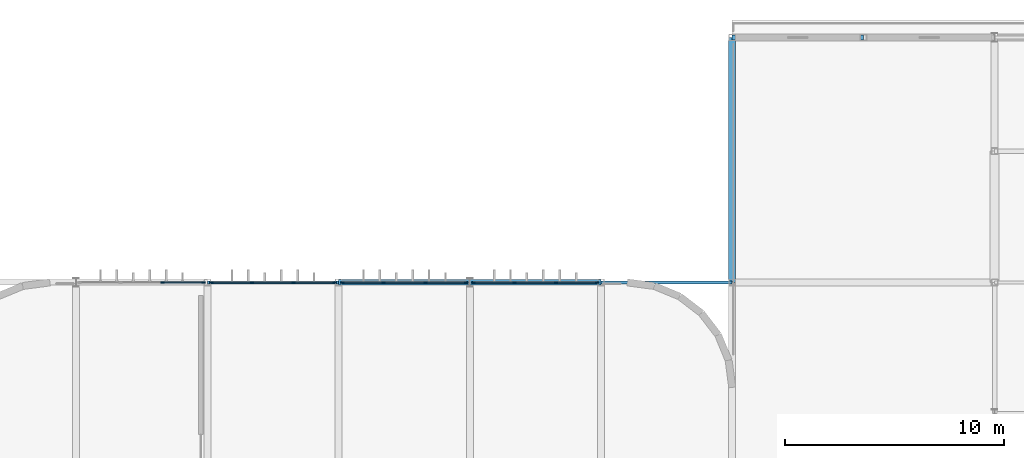
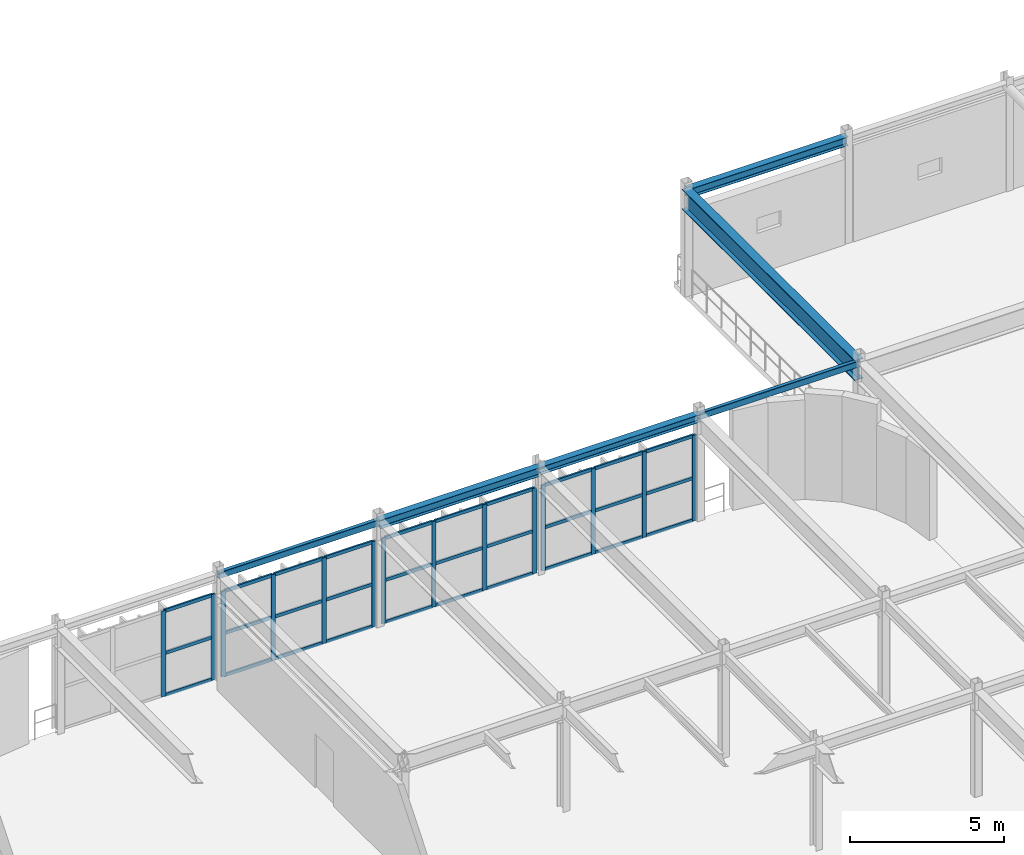
# One storey, part 49 of 96: 44 members, 6 beams, 4 elements without a shape of their own.
"""IFC4 building model written with IfcOpenShell, lengths in metres."""

from ifc_helpers import new_model, si_unit, direction, frame, origin, origin_2d, place, context, subcontext, project, spatial, rectangle, hollow_rectangle, i_section, extrude, material, material_profile, profile_set, type_object, element, aggregate, save


model = new_model("IFC4")

# Units and contexts
model_context = context("Model", 3, precision=1e-05, world=origin(), true_north=direction((0.0, 1.0)))
body_context = subcontext(model_context, "Body", "Model", "MODEL_VIEW")
ifc_project = project(units=[si_unit("LENGTHUNIT", "METRE"), si_unit("AREAUNIT", "SQUARE_METRE"), si_unit("VOLUMEUNIT", "CUBIC_METRE"), si_unit("PLANEANGLEUNIT", "RADIAN"), si_unit("MASSUNIT", "GRAM", prefix="KILO")], contexts=[model_context])

# Site, building, storey
site_placement = place(None, origin())
site = spatial("IfcSite", under=ifc_project, at=site_placement, CompositionType="ELEMENT")
building_placement = place(site_placement, origin())
building = spatial("IfcBuilding", under=site, at=building_placement, Name="Varnakota Square Police Headquarters", CompositionType="ELEMENT")
storey_placement = place(building_placement, frame((0.0, 0.0, 4.800048828125)))
storey = spatial("IfcBuildingStorey", under=building, at=storey_placement, Name="L01", CompositionType="ELEMENT", Elevation=4.800048828125)

# Beams
ifc_material_1 = material(Name="Steel IS 2062 Grade 350", Category="steel")
ifc_material_profile_1 = material_profile(ifc_material_1, i_section(OverallWidth=0.320068359375, OverallDepth=0.800048828125, WebThickness=0.01611328125, FlangeThickness=0.028076171875, at=origin_2d()), Name="BPG 800x320")
ifc_profile_set_1 = profile_set([ifc_material_profile_1], Name="Steel IS 2062 Grade 350")
beam_type_1 = type_object("IfcBeamType", Name="BM-BPG800", PredefinedType="BEAM", material=ifc_profile_set_1)
beam_1_placement = place(storey_placement, frame((96.0, 99.0, 3.800048828125), z_axis=(0.0, 1.0, 0.0), x_axis=(-1.0, 0.0, 0.0)))
element("IfcBeam", 1, at=beam_1_placement, inside=storey, type_object=beam_type_1, Name="BMG-L01-1677", PredefinedType="BEAM", context=body_context, shape_type="SweptSolid", body=[
    extrude(i_section(OverallWidth=0.320068359375, OverallDepth=0.800048828125, WebThickness=0.01611328125, FlangeThickness=0.028076171875, at=origin_2d()), origin(), (0.0, 0.0, 1.0), 11.199951171875),
])
ifc_material_profile_2 = material_profile(ifc_material_1, hollow_rectangle(XDim=0.14990234375, YDim=0.25, WallThickness=0.010009765625, InnerFilletRadius=0.010009765625, OuterFilletRadius=0.02001953125, at=origin_2d()), Name="RHS 250x150x10")
ifc_profile_set_2 = profile_set([ifc_material_profile_2], Name="Steel IS 2062 Grade 350")
beam_type_2 = type_object("IfcBeamType", Name="BM-CBEAM-RHS250", PredefinedType="BEAM", material=ifc_profile_set_2)
for number, where, z_axis, x_axis, name in (
    (2, (72.0, 99.0, 4.074951171875), (1.0, 0.0, 0.0), (0.0, 1.0, 0.0), "BMG-L01-1497"),
    (3, (90.0, 99.0, 4.074951171875), (1.0, 0.0, 0.0), (0.0, 1.0, 0.0), "BMG-L01-1500"),
):
    element("IfcBeam", number, at=place(storey_placement, frame(where, z_axis=z_axis, x_axis=x_axis)), inside=storey, type_object=beam_type_2, Name=name, PredefinedType="BEAM", context=body_context, shape_type="SweptSolid", body=[
        extrude(hollow_rectangle(XDim=0.14990234375, YDim=0.25, WallThickness=0.010009765625, InnerFilletRadius=0.010009765625, OuterFilletRadius=0.02001953125, at=origin_2d()), origin(), (0.0, 0.0, 1.0), 6.0),
    ])
ifc_material_profile_3 = material_profile(ifc_material_1, i_section(OverallWidth=0.25, OverallDepth=0.300048828125, WebThickness=0.009521484375, FlangeThickness=0.010498046875, FilletRadius=0.011962890625, at=origin_2d()), Name="ISHB 300")
ifc_profile_set_3 = profile_set([ifc_material_profile_3], Name="Steel IS 2062 Grade 350")
beam_type_3 = type_object("IfcBeamType", Name="BM-ISHB300", PredefinedType="BEAM", material=ifc_profile_set_3)
beam_2_placement = place(storey_placement, frame((84.0, 99.0, 4.050048828125), z_axis=(1.0, 0.0, 0.0), x_axis=(0.0, 1.0, 0.0)))
element("IfcBeam", 4, at=beam_2_placement, inside=storey, type_object=beam_type_3, Name="BMG-L01-1499", PredefinedType="BEAM", context=body_context, shape_type="SweptSolid", body=[
    extrude(i_section(OverallWidth=0.25, OverallDepth=0.300048828125, WebThickness=0.009521484375, FlangeThickness=0.010498046875, FilletRadius=0.011962890625, at=origin_2d()), origin(), (0.0, 0.0, 1.0), 6.0),
])
ifc_material_profile_4 = material_profile(ifc_material_1, i_section(OverallWidth=0.25, OverallDepth=0.35009765625, WebThickness=0.010009765625, FlangeThickness=0.01171875, FilletRadius=0.011962890625, at=origin_2d()), Name="ISHB 350")
ifc_profile_set_4 = profile_set([ifc_material_profile_4], Name="Steel IS 2062 Grade 350")
beam_type_4 = type_object("IfcBeamType", Name="BM-ISHB350", PredefinedType="BEAM", material=ifc_profile_set_4)
for number, where, z_axis, x_axis, name in (
    (5, (78.0, 99.0, 4.02490234375), (1.0, 0.0, 0.0), (0.0, 1.0, 0.0), "BMG-L01-1498"),
    (6, (96.0, 110.199951171875, 4.02490234375), (1.0, 0.0, 0.0), (0.0, 1.0, 0.0), "BMG-L01-1527"),
):
    element("IfcBeam", number, at=place(storey_placement, frame(where, z_axis=z_axis, x_axis=x_axis)), inside=storey, type_object=beam_type_4, Name=name, PredefinedType="BEAM", context=body_context, shape_type="SweptSolid", body=[
        extrude(i_section(OverallWidth=0.25, OverallDepth=0.35009765625, WebThickness=0.010009765625, FlangeThickness=0.01171875, FilletRadius=0.011962890625, at=origin_2d()), origin(), (0.0, 0.0, 1.0), 6.0),
    ])

# Curtain wall, members
ifc_material_2 = material(Name="Anodised Aluminium Framing", Category="aluminium")
curtain_wall_type = type_object("IfcCurtainWallType", Name="CW-SYS-C", PredefinedType="NOTDEFINED", material=ifc_material_2)
curtain_wall_1_placement = place(storey_placement, origin())
curtain_wall_1 = element("IfcCurtainWall", 7, at=curtain_wall_1_placement, inside=storey, type_object=curtain_wall_type, Name="Unitised curtain wall CWG-L01-232", PredefinedType="NOTDEFINED")
ifc_material_3 = material(Name="Anodised Aluminium 6063-T6", Category="aluminium")
ifc_material_profile_5 = material_profile(ifc_material_3, rectangle(XDim=0.06494140625, YDim=0.159912109375, at=origin_2d()), Name="ALU MULLION 65x160")
ifc_profile_set_5 = profile_set([ifc_material_profile_5], Name="Anodised Aluminium 6063-T6")
member_type_1 = type_object("IfcMemberType", Name="CWM-150", PredefinedType="MULLION", material=ifc_profile_set_5)
member_1_placement = place(storey_placement, frame((69.93994140625, 99.0, 0.0), z_axis=(0.0, 0.0, 1.0), x_axis=(0.0, 1.0, 0.0)))
member_1 = element("IfcMember", 8, at=member_1_placement, type_object=member_type_1, Name="CWG-L01-232 mullion 3", PredefinedType="MULLION", context=body_context, shape_type="SweptSolid", body=[
    extrude(rectangle(XDim=0.06494140625, YDim=0.159912109375, at=origin_2d()), origin(), (0.0, 0.0, 1.0), 3.389892578125),
])
member_2_placement = place(storey_placement, frame((71.8125, 99.0, 0.0), z_axis=(0.0, 0.0, 1.0), x_axis=(0.0, 1.0, 0.0)))
member_2 = element("IfcMember", 9, at=member_2_placement, type_object=member_type_1, Name="CWG-L01-232 mullion 4", PredefinedType="MULLION", context=body_context, shape_type="SweptSolid", body=[
    extrude(rectangle(XDim=0.06494140625, YDim=0.159912109375, at=origin_2d()), origin(), (0.0, 0.0, 1.0), 3.389892578125),
])

curtain_wall_2_placement = place(storey_placement, origin())
curtain_wall_2 = element("IfcCurtainWall", 10, at=curtain_wall_2_placement, inside=storey, type_object=curtain_wall_type, Name="Unitised curtain wall CWG-L01-233", PredefinedType="NOTDEFINED")
member_3_placement = place(storey_placement, frame((72.1875, 99.0, 0.0), z_axis=(0.0, 0.0, 1.0), x_axis=(0.0, 1.0, 0.0)))
member_3 = element("IfcMember", 11, at=member_3_placement, type_object=member_type_1, Name="CWG-L01-233 mullion 1", PredefinedType="MULLION", context=body_context, shape_type="SweptSolid", body=[
    extrude(rectangle(XDim=0.06494140625, YDim=0.159912109375, at=origin_2d()), origin(), (0.0, 0.0, 1.0), 3.389892578125),
])
member_4_placement = place(storey_placement, frame((74.0517578125, 99.0, 0.0), z_axis=(0.0, 0.0, 1.0), x_axis=(0.0, 1.0, 0.0)))
member_4 = element("IfcMember", 12, at=member_4_placement, type_object=member_type_1, Name="CWG-L01-233 mullion 2", PredefinedType="MULLION", context=body_context, shape_type="SweptSolid", body=[
    extrude(rectangle(XDim=0.06494140625, YDim=0.159912109375, at=origin_2d()), origin(), (0.0, 0.0, 1.0), 3.389892578125),
])
member_5_placement = place(storey_placement, frame((75.9482421875, 99.0, 0.0), z_axis=(0.0, 0.0, 1.0), x_axis=(0.0, 1.0, 0.0)))
member_5 = element("IfcMember", 13, at=member_5_placement, type_object=member_type_1, Name="CWG-L01-233 mullion 3", PredefinedType="MULLION", context=body_context, shape_type="SweptSolid", body=[
    extrude(rectangle(XDim=0.06494140625, YDim=0.159912109375, at=origin_2d()), origin(), (0.0, 0.0, 1.0), 3.389892578125),
])
member_6_placement = place(storey_placement, frame((77.8125, 99.0, 0.0), z_axis=(0.0, 0.0, 1.0), x_axis=(0.0, 1.0, 0.0)))
member_6 = element("IfcMember", 14, at=member_6_placement, type_object=member_type_1, Name="CWG-L01-233 mullion 4", PredefinedType="MULLION", context=body_context, shape_type="SweptSolid", body=[
    extrude(rectangle(XDim=0.06494140625, YDim=0.159912109375, at=origin_2d()), origin(), (0.0, 0.0, 1.0), 3.389892578125),
])

curtain_wall_3_placement = place(storey_placement, origin())
curtain_wall_3 = element("IfcCurtainWall", 15, at=curtain_wall_3_placement, inside=storey, type_object=curtain_wall_type, Name="Unitised curtain wall CWG-L01-234", PredefinedType="NOTDEFINED")
member_7_placement = place(storey_placement, frame((78.1875, 99.0, 0.0), z_axis=(0.0, 0.0, 1.0), x_axis=(0.0, 1.0, 0.0)))
member_7 = element("IfcMember", 16, at=member_7_placement, type_object=member_type_1, Name="CWG-L01-234 mullion 1", PredefinedType="MULLION", context=body_context, shape_type="SweptSolid", body=[
    extrude(rectangle(XDim=0.06494140625, YDim=0.159912109375, at=origin_2d()), origin(), (0.0, 0.0, 1.0), 3.389892578125),
])
member_8_placement = place(storey_placement, frame((80.06005859375, 99.0, 0.0), z_axis=(0.0, 0.0, 1.0), x_axis=(0.0, 1.0, 0.0)))
member_8 = element("IfcMember", 17, at=member_8_placement, type_object=member_type_1, Name="CWG-L01-234 mullion 2", PredefinedType="MULLION", context=body_context, shape_type="SweptSolid", body=[
    extrude(rectangle(XDim=0.06494140625, YDim=0.159912109375, at=origin_2d()), origin(), (0.0, 0.0, 1.0), 3.389892578125),
])
member_9_placement = place(storey_placement, frame((81.965087890625, 99.0, 0.0), z_axis=(0.0, 0.0, 1.0), x_axis=(0.0, 1.0, 0.0)))
member_9 = element("IfcMember", 18, at=member_9_placement, type_object=member_type_1, Name="CWG-L01-234 mullion 3", PredefinedType="MULLION", context=body_context, shape_type="SweptSolid", body=[
    extrude(rectangle(XDim=0.06494140625, YDim=0.159912109375, at=origin_2d()), origin(), (0.0, 0.0, 1.0), 3.389892578125),
])
member_10_placement = place(storey_placement, frame((83.83740234375, 99.0, 0.0), z_axis=(0.0, 0.0, 1.0), x_axis=(0.0, 1.0, 0.0)))
member_10 = element("IfcMember", 19, at=member_10_placement, type_object=member_type_1, Name="CWG-L01-234 mullion 4", PredefinedType="MULLION", context=body_context, shape_type="SweptSolid", body=[
    extrude(rectangle(XDim=0.06494140625, YDim=0.159912109375, at=origin_2d()), origin(), (0.0, 0.0, 1.0), 3.389892578125),
])

curtain_wall_4_placement = place(storey_placement, origin())
curtain_wall_4 = element("IfcCurtainWall", 20, at=curtain_wall_4_placement, inside=storey, type_object=curtain_wall_type, Name="Unitised curtain wall CWG-L01-235", PredefinedType="NOTDEFINED")
member_11_placement = place(storey_placement, frame((84.16259765625, 99.0, 0.0), z_axis=(0.0, 0.0, 1.0), x_axis=(0.0, 1.0, 0.0)))
member_11 = element("IfcMember", 21, at=member_11_placement, type_object=member_type_1, Name="CWG-L01-235 mullion 1", PredefinedType="MULLION", context=body_context, shape_type="SweptSolid", body=[
    extrude(rectangle(XDim=0.06494140625, YDim=0.159912109375, at=origin_2d()), origin(), (0.0, 0.0, 1.0), 3.389892578125),
])
member_12_placement = place(storey_placement, frame((86.034912109375, 99.0, 0.0), z_axis=(0.0, 0.0, 1.0), x_axis=(0.0, 1.0, 0.0)))
member_12 = element("IfcMember", 22, at=member_12_placement, type_object=member_type_1, Name="CWG-L01-235 mullion 2", PredefinedType="MULLION", context=body_context, shape_type="SweptSolid", body=[
    extrude(rectangle(XDim=0.06494140625, YDim=0.159912109375, at=origin_2d()), origin(), (0.0, 0.0, 1.0), 3.389892578125),
])
member_13_placement = place(storey_placement, frame((87.93994140625, 99.0, 0.0), z_axis=(0.0, 0.0, 1.0), x_axis=(0.0, 1.0, 0.0)))
member_13 = element("IfcMember", 23, at=member_13_placement, type_object=member_type_1, Name="CWG-L01-235 mullion 3", PredefinedType="MULLION", context=body_context, shape_type="SweptSolid", body=[
    extrude(rectangle(XDim=0.06494140625, YDim=0.159912109375, at=origin_2d()), origin(), (0.0, 0.0, 1.0), 3.389892578125),
])
member_14_placement = place(storey_placement, frame((89.8125, 99.0, 0.0), z_axis=(0.0, 0.0, 1.0), x_axis=(0.0, 1.0, 0.0)))
member_14 = element("IfcMember", 24, at=member_14_placement, type_object=member_type_1, Name="CWG-L01-235 mullion 4", PredefinedType="MULLION", context=body_context, shape_type="SweptSolid", body=[
    extrude(rectangle(XDim=0.06494140625, YDim=0.159912109375, at=origin_2d()), origin(), (0.0, 0.0, 1.0), 3.389892578125),
])

# Member
ifc_material_profile_6 = material_profile(ifc_material_3, rectangle(XDim=0.06494140625, YDim=0.1298828125, at=origin_2d()), Name="ALU TRANSOM 65x130")
ifc_profile_set_6 = profile_set([ifc_material_profile_6], Name="Anodised Aluminium 6063-T6")
member_type_2 = type_object("IfcMemberType", Name="CWT-120", PredefinedType="USERDEFINED", material=ifc_profile_set_6)
member_15_placement = place(storey_placement, frame((69.972412109375, 99.0, 0.032470703125), z_axis=(1.0, 0.0, 0.0), x_axis=(0.0, 1.0, 0.0)))
member_15 = element("IfcMember", 25, at=member_15_placement, type_object=member_type_2, Name="CWG-L01-232 transom 3.1", ObjectType="TRANSOM", PredefinedType="USERDEFINED", context=body_context, shape_type="SweptSolid", body=[
    extrude(rectangle(XDim=0.06494140625, YDim=0.1298828125, at=origin_2d()), origin(), (0.0, 0.0, 1.0), 1.8076171875),
])

member_16_placement = place(storey_placement, frame((69.972412109375, 99.0, 1.695068359375), z_axis=(1.0, 0.0, 0.0), x_axis=(0.0, 1.0, 0.0)))
member_16 = element("IfcMember", 26, at=member_16_placement, type_object=member_type_2, Name="CWG-L01-232 transom 3.2", ObjectType="TRANSOM", PredefinedType="USERDEFINED", context=body_context, shape_type="SweptSolid", body=[
    extrude(rectangle(XDim=0.06494140625, YDim=0.1298828125, at=origin_2d()), origin(), (0.0, 0.0, 1.0), 1.8076171875),
])

member_17_placement = place(storey_placement, frame((69.972412109375, 99.0, 3.357421875), z_axis=(1.0, 0.0, 0.0), x_axis=(0.0, 1.0, 0.0)))
member_17 = element("IfcMember", 27, at=member_17_placement, type_object=member_type_2, Name="CWG-L01-232 transom 3.3", ObjectType="TRANSOM", PredefinedType="USERDEFINED", context=body_context, shape_type="SweptSolid", body=[
    extrude(rectangle(XDim=0.06494140625, YDim=0.1298828125, at=origin_2d()), origin(), (0.0, 0.0, 1.0), 1.8076171875),
])

aggregate(curtain_wall_1, [member_1, member_2, member_15, member_16, member_17])

member_18_placement = place(storey_placement, frame((72.219970703125, 99.0, 0.032470703125), z_axis=(1.0, 0.0, 0.0), x_axis=(0.0, 1.0, 0.0)))
member_18 = element("IfcMember", 28, at=member_18_placement, type_object=member_type_2, Name="CWG-L01-233 transom 1.1", ObjectType="TRANSOM", PredefinedType="USERDEFINED", context=body_context, shape_type="SweptSolid", body=[
    extrude(rectangle(XDim=0.06494140625, YDim=0.1298828125, at=origin_2d()), origin(), (0.0, 0.0, 1.0), 1.79931640625),
])

member_19_placement = place(storey_placement, frame((72.219970703125, 99.0, 1.695068359375), z_axis=(1.0, 0.0, 0.0), x_axis=(0.0, 1.0, 0.0)))
member_19 = element("IfcMember", 29, at=member_19_placement, type_object=member_type_2, Name="CWG-L01-233 transom 1.2", ObjectType="TRANSOM", PredefinedType="USERDEFINED", context=body_context, shape_type="SweptSolid", body=[
    extrude(rectangle(XDim=0.06494140625, YDim=0.1298828125, at=origin_2d()), origin(), (0.0, 0.0, 1.0), 1.79931640625),
])

member_20_placement = place(storey_placement, frame((72.219970703125, 99.0, 3.357421875), z_axis=(1.0, 0.0, 0.0), x_axis=(0.0, 1.0, 0.0)))
member_20 = element("IfcMember", 30, at=member_20_placement, type_object=member_type_2, Name="CWG-L01-233 transom 1.3", ObjectType="TRANSOM", PredefinedType="USERDEFINED", context=body_context, shape_type="SweptSolid", body=[
    extrude(rectangle(XDim=0.06494140625, YDim=0.1298828125, at=origin_2d()), origin(), (0.0, 0.0, 1.0), 1.79931640625),
])

member_21_placement = place(storey_placement, frame((74.084228515625, 99.0, 0.032470703125), z_axis=(1.0, 0.0, 0.0), x_axis=(0.0, 1.0, 0.0)))
member_21 = element("IfcMember", 31, at=member_21_placement, type_object=member_type_2, Name="CWG-L01-233 transom 2.1", ObjectType="TRANSOM", PredefinedType="USERDEFINED", context=body_context, shape_type="SweptSolid", body=[
    extrude(rectangle(XDim=0.06494140625, YDim=0.1298828125, at=origin_2d()), origin(), (0.0, 0.0, 1.0), 1.83154296875),
])

member_22_placement = place(storey_placement, frame((74.084228515625, 99.0, 1.695068359375), z_axis=(1.0, 0.0, 0.0), x_axis=(0.0, 1.0, 0.0)))
member_22 = element("IfcMember", 32, at=member_22_placement, type_object=member_type_2, Name="CWG-L01-233 transom 2.2", ObjectType="TRANSOM", PredefinedType="USERDEFINED", context=body_context, shape_type="SweptSolid", body=[
    extrude(rectangle(XDim=0.06494140625, YDim=0.1298828125, at=origin_2d()), origin(), (0.0, 0.0, 1.0), 1.83154296875),
])

member_23_placement = place(storey_placement, frame((74.084228515625, 99.0, 3.357421875), z_axis=(1.0, 0.0, 0.0), x_axis=(0.0, 1.0, 0.0)))
member_23 = element("IfcMember", 33, at=member_23_placement, type_object=member_type_2, Name="CWG-L01-233 transom 2.3", ObjectType="TRANSOM", PredefinedType="USERDEFINED", context=body_context, shape_type="SweptSolid", body=[
    extrude(rectangle(XDim=0.06494140625, YDim=0.1298828125, at=origin_2d()), origin(), (0.0, 0.0, 1.0), 1.83154296875),
])

member_24_placement = place(storey_placement, frame((75.980712890625, 99.0, 0.032470703125), z_axis=(1.0, 0.0, 0.0), x_axis=(0.0, 1.0, 0.0)))
member_24 = element("IfcMember", 34, at=member_24_placement, type_object=member_type_2, Name="CWG-L01-233 transom 3.1", ObjectType="TRANSOM", PredefinedType="USERDEFINED", context=body_context, shape_type="SweptSolid", body=[
    extrude(rectangle(XDim=0.06494140625, YDim=0.1298828125, at=origin_2d()), origin(), (0.0, 0.0, 1.0), 1.79931640625),
])

member_25_placement = place(storey_placement, frame((75.980712890625, 99.0, 1.695068359375), z_axis=(1.0, 0.0, 0.0), x_axis=(0.0, 1.0, 0.0)))
member_25 = element("IfcMember", 35, at=member_25_placement, type_object=member_type_2, Name="CWG-L01-233 transom 3.2", ObjectType="TRANSOM", PredefinedType="USERDEFINED", context=body_context, shape_type="SweptSolid", body=[
    extrude(rectangle(XDim=0.06494140625, YDim=0.1298828125, at=origin_2d()), origin(), (0.0, 0.0, 1.0), 1.79931640625),
])

member_26_placement = place(storey_placement, frame((75.980712890625, 99.0, 3.357421875), z_axis=(1.0, 0.0, 0.0), x_axis=(0.0, 1.0, 0.0)))
member_26 = element("IfcMember", 36, at=member_26_placement, type_object=member_type_2, Name="CWG-L01-233 transom 3.3", ObjectType="TRANSOM", PredefinedType="USERDEFINED", context=body_context, shape_type="SweptSolid", body=[
    extrude(rectangle(XDim=0.06494140625, YDim=0.1298828125, at=origin_2d()), origin(), (0.0, 0.0, 1.0), 1.79931640625),
])

aggregate(curtain_wall_2, [member_3, member_4, member_5, member_6, member_18, member_19, member_20, member_21, member_22, member_23, member_24, member_25, member_26])

member_27_placement = place(storey_placement, frame((78.219970703125, 99.0, 0.032470703125), z_axis=(1.0, 0.0, 0.0), x_axis=(0.0, 1.0, 0.0)))
member_27 = element("IfcMember", 37, at=member_27_placement, type_object=member_type_2, Name="CWG-L01-234 transom 1.1", ObjectType="TRANSOM", PredefinedType="USERDEFINED", context=body_context, shape_type="SweptSolid", body=[
    extrude(rectangle(XDim=0.06494140625, YDim=0.1298828125, at=origin_2d()), origin(), (0.0, 0.0, 1.0), 1.8076171875),
])

member_28_placement = place(storey_placement, frame((78.219970703125, 99.0, 1.695068359375), z_axis=(1.0, 0.0, 0.0), x_axis=(0.0, 1.0, 0.0)))
member_28 = element("IfcMember", 38, at=member_28_placement, type_object=member_type_2, Name="CWG-L01-234 transom 1.2", ObjectType="TRANSOM", PredefinedType="USERDEFINED", context=body_context, shape_type="SweptSolid", body=[
    extrude(rectangle(XDim=0.06494140625, YDim=0.1298828125, at=origin_2d()), origin(), (0.0, 0.0, 1.0), 1.8076171875),
])

member_29_placement = place(storey_placement, frame((78.219970703125, 99.0, 3.357421875), z_axis=(1.0, 0.0, 0.0), x_axis=(0.0, 1.0, 0.0)))
member_29 = element("IfcMember", 39, at=member_29_placement, type_object=member_type_2, Name="CWG-L01-234 transom 1.3", ObjectType="TRANSOM", PredefinedType="USERDEFINED", context=body_context, shape_type="SweptSolid", body=[
    extrude(rectangle(XDim=0.06494140625, YDim=0.1298828125, at=origin_2d()), origin(), (0.0, 0.0, 1.0), 1.8076171875),
])

member_30_placement = place(storey_placement, frame((80.092529296875, 99.0, 0.032470703125), z_axis=(1.0, 0.0, 0.0), x_axis=(0.0, 1.0, 0.0)))
member_30 = element("IfcMember", 40, at=member_30_placement, type_object=member_type_2, Name="CWG-L01-234 transom 2.1", ObjectType="TRANSOM", PredefinedType="USERDEFINED", context=body_context, shape_type="SweptSolid", body=[
    extrude(rectangle(XDim=0.06494140625, YDim=0.1298828125, at=origin_2d()), origin(), (0.0, 0.0, 1.0), 1.840087890625),
])

member_31_placement = place(storey_placement, frame((80.092529296875, 99.0, 1.695068359375), z_axis=(1.0, 0.0, 0.0), x_axis=(0.0, 1.0, 0.0)))
member_31 = element("IfcMember", 41, at=member_31_placement, type_object=member_type_2, Name="CWG-L01-234 transom 2.2", ObjectType="TRANSOM", PredefinedType="USERDEFINED", context=body_context, shape_type="SweptSolid", body=[
    extrude(rectangle(XDim=0.06494140625, YDim=0.1298828125, at=origin_2d()), origin(), (0.0, 0.0, 1.0), 1.840087890625),
])

member_32_placement = place(storey_placement, frame((80.092529296875, 99.0, 3.357421875), z_axis=(1.0, 0.0, 0.0), x_axis=(0.0, 1.0, 0.0)))
member_32 = element("IfcMember", 42, at=member_32_placement, type_object=member_type_2, Name="CWG-L01-234 transom 2.3", ObjectType="TRANSOM", PredefinedType="USERDEFINED", context=body_context, shape_type="SweptSolid", body=[
    extrude(rectangle(XDim=0.06494140625, YDim=0.1298828125, at=origin_2d()), origin(), (0.0, 0.0, 1.0), 1.840087890625),
])

member_33_placement = place(storey_placement, frame((81.99755859375, 99.0, 0.032470703125), z_axis=(1.0, 0.0, 0.0), x_axis=(0.0, 1.0, 0.0)))
member_33 = element("IfcMember", 43, at=member_33_placement, type_object=member_type_2, Name="CWG-L01-234 transom 3.1", ObjectType="TRANSOM", PredefinedType="USERDEFINED", context=body_context, shape_type="SweptSolid", body=[
    extrude(rectangle(XDim=0.06494140625, YDim=0.1298828125, at=origin_2d()), origin(), (0.0, 0.0, 1.0), 1.807373046875),
])

member_34_placement = place(storey_placement, frame((81.99755859375, 99.0, 1.695068359375), z_axis=(1.0, 0.0, 0.0), x_axis=(0.0, 1.0, 0.0)))
member_34 = element("IfcMember", 44, at=member_34_placement, type_object=member_type_2, Name="CWG-L01-234 transom 3.2", ObjectType="TRANSOM", PredefinedType="USERDEFINED", context=body_context, shape_type="SweptSolid", body=[
    extrude(rectangle(XDim=0.06494140625, YDim=0.1298828125, at=origin_2d()), origin(), (0.0, 0.0, 1.0), 1.807373046875),
])

member_35_placement = place(storey_placement, frame((81.99755859375, 99.0, 3.357421875), z_axis=(1.0, 0.0, 0.0), x_axis=(0.0, 1.0, 0.0)))
member_35 = element("IfcMember", 45, at=member_35_placement, type_object=member_type_2, Name="CWG-L01-234 transom 3.3", ObjectType="TRANSOM", PredefinedType="USERDEFINED", context=body_context, shape_type="SweptSolid", body=[
    extrude(rectangle(XDim=0.06494140625, YDim=0.1298828125, at=origin_2d()), origin(), (0.0, 0.0, 1.0), 1.807373046875),
])

aggregate(curtain_wall_3, [member_7, member_8, member_9, member_10, member_27, member_28, member_29, member_30, member_31, member_32, member_33, member_34, member_35])

member_36_placement = place(storey_placement, frame((84.195068359375, 99.0, 0.032470703125), z_axis=(1.0, 0.0, 0.0), x_axis=(0.0, 1.0, 0.0)))
member_36 = element("IfcMember", 46, at=member_36_placement, type_object=member_type_2, Name="CWG-L01-235 transom 1.1", ObjectType="TRANSOM", PredefinedType="USERDEFINED", context=body_context, shape_type="SweptSolid", body=[
    extrude(rectangle(XDim=0.06494140625, YDim=0.1298828125, at=origin_2d()), origin(), (0.0, 0.0, 1.0), 1.807373046875),
])

member_37_placement = place(storey_placement, frame((84.195068359375, 99.0, 1.695068359375), z_axis=(1.0, 0.0, 0.0), x_axis=(0.0, 1.0, 0.0)))
member_37 = element("IfcMember", 47, at=member_37_placement, type_object=member_type_2, Name="CWG-L01-235 transom 1.2", ObjectType="TRANSOM", PredefinedType="USERDEFINED", context=body_context, shape_type="SweptSolid", body=[
    extrude(rectangle(XDim=0.06494140625, YDim=0.1298828125, at=origin_2d()), origin(), (0.0, 0.0, 1.0), 1.807373046875),
])

member_38_placement = place(storey_placement, frame((84.195068359375, 99.0, 3.357421875), z_axis=(1.0, 0.0, 0.0), x_axis=(0.0, 1.0, 0.0)))
member_38 = element("IfcMember", 48, at=member_38_placement, type_object=member_type_2, Name="CWG-L01-235 transom 1.3", ObjectType="TRANSOM", PredefinedType="USERDEFINED", context=body_context, shape_type="SweptSolid", body=[
    extrude(rectangle(XDim=0.06494140625, YDim=0.1298828125, at=origin_2d()), origin(), (0.0, 0.0, 1.0), 1.807373046875),
])

member_39_placement = place(storey_placement, frame((86.0673828125, 99.0, 0.032470703125), z_axis=(1.0, 0.0, 0.0), x_axis=(0.0, 1.0, 0.0)))
member_39 = element("IfcMember", 49, at=member_39_placement, type_object=member_type_2, Name="CWG-L01-235 transom 2.1", ObjectType="TRANSOM", PredefinedType="USERDEFINED", context=body_context, shape_type="SweptSolid", body=[
    extrude(rectangle(XDim=0.06494140625, YDim=0.1298828125, at=origin_2d()), origin(), (0.0, 0.0, 1.0), 1.840087890625),
])

member_40_placement = place(storey_placement, frame((86.0673828125, 99.0, 1.695068359375), z_axis=(1.0, 0.0, 0.0), x_axis=(0.0, 1.0, 0.0)))
member_40 = element("IfcMember", 50, at=member_40_placement, type_object=member_type_2, Name="CWG-L01-235 transom 2.2", ObjectType="TRANSOM", PredefinedType="USERDEFINED", context=body_context, shape_type="SweptSolid", body=[
    extrude(rectangle(XDim=0.06494140625, YDim=0.1298828125, at=origin_2d()), origin(), (0.0, 0.0, 1.0), 1.840087890625),
])

member_41_placement = place(storey_placement, frame((86.0673828125, 99.0, 3.357421875), z_axis=(1.0, 0.0, 0.0), x_axis=(0.0, 1.0, 0.0)))
member_41 = element("IfcMember", 51, at=member_41_placement, type_object=member_type_2, Name="CWG-L01-235 transom 2.3", ObjectType="TRANSOM", PredefinedType="USERDEFINED", context=body_context, shape_type="SweptSolid", body=[
    extrude(rectangle(XDim=0.06494140625, YDim=0.1298828125, at=origin_2d()), origin(), (0.0, 0.0, 1.0), 1.840087890625),
])

member_42_placement = place(storey_placement, frame((87.972412109375, 99.0, 0.032470703125), z_axis=(1.0, 0.0, 0.0), x_axis=(0.0, 1.0, 0.0)))
member_42 = element("IfcMember", 52, at=member_42_placement, type_object=member_type_2, Name="CWG-L01-235 transom 3.1", ObjectType="TRANSOM", PredefinedType="USERDEFINED", context=body_context, shape_type="SweptSolid", body=[
    extrude(rectangle(XDim=0.06494140625, YDim=0.1298828125, at=origin_2d()), origin(), (0.0, 0.0, 1.0), 1.8076171875),
])

member_43_placement = place(storey_placement, frame((87.972412109375, 99.0, 1.695068359375), z_axis=(1.0, 0.0, 0.0), x_axis=(0.0, 1.0, 0.0)))
member_43 = element("IfcMember", 53, at=member_43_placement, type_object=member_type_2, Name="CWG-L01-235 transom 3.2", ObjectType="TRANSOM", PredefinedType="USERDEFINED", context=body_context, shape_type="SweptSolid", body=[
    extrude(rectangle(XDim=0.06494140625, YDim=0.1298828125, at=origin_2d()), origin(), (0.0, 0.0, 1.0), 1.8076171875),
])

member_44_placement = place(storey_placement, frame((87.972412109375, 99.0, 3.357421875), z_axis=(1.0, 0.0, 0.0), x_axis=(0.0, 1.0, 0.0)))
member_44 = element("IfcMember", 54, at=member_44_placement, type_object=member_type_2, Name="CWG-L01-235 transom 3.3", ObjectType="TRANSOM", PredefinedType="USERDEFINED", context=body_context, shape_type="SweptSolid", body=[
    extrude(rectangle(XDim=0.06494140625, YDim=0.1298828125, at=origin_2d()), origin(), (0.0, 0.0, 1.0), 1.8076171875),
])

aggregate(curtain_wall_4, [member_11, member_12, member_13, member_14, member_36, member_37, member_38, member_39, member_40, member_41, member_42, member_43, member_44])

save(model, "model.ifc")
